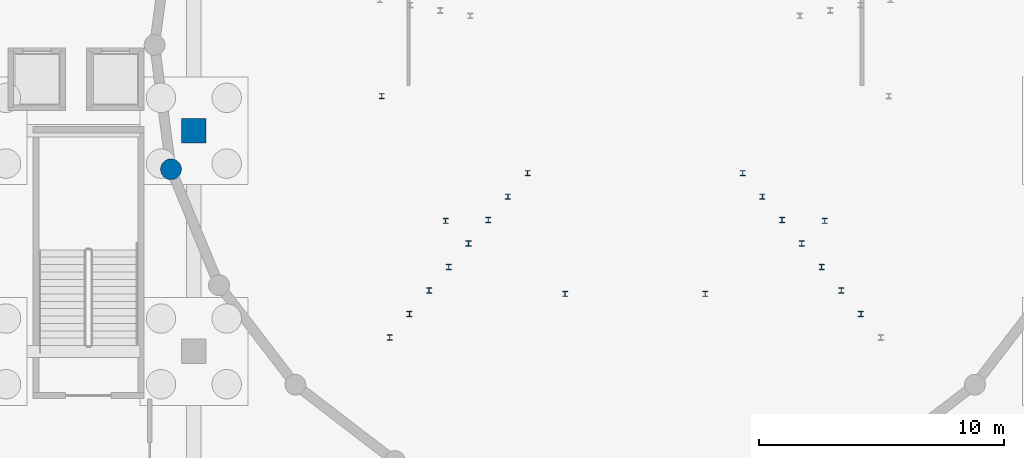
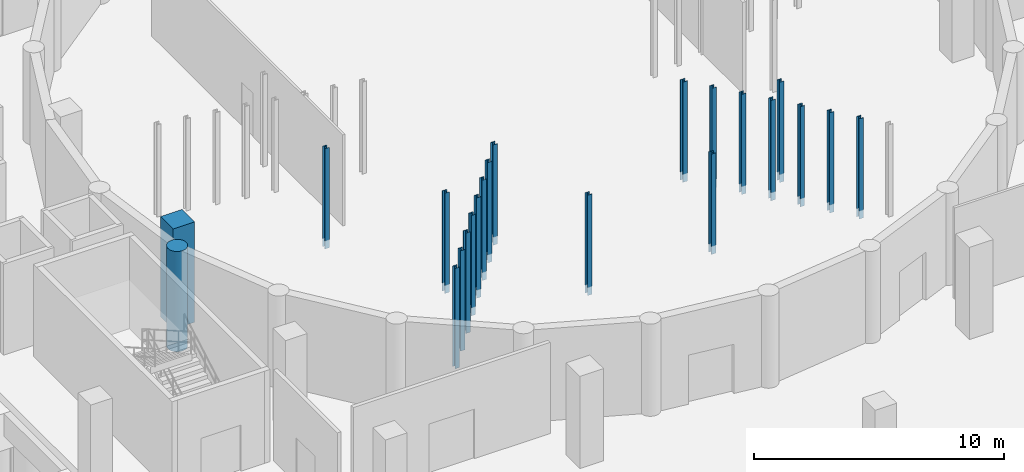
# One storey, part 18 of 40: 22 columns.
"""IFC4 building model written with IfcOpenShell, lengths in metres."""

from ifc_helpers import new_model, si_unit, direction, frame, origin, origin_2d, place, context, subcontext, project, spatial, rectangle, circle, i_section, extrude, material, material_profile, profile_set, type_object, element, save


model = new_model("IFC4")

# Units and contexts
model_context = context("Model", 3, precision=1e-05, world=origin(), true_north=direction((0.0, 1.0)))
body_context = subcontext(model_context, "Body", "Model", "MODEL_VIEW")
ifc_project = project(units=[si_unit("LENGTHUNIT", "METRE"), si_unit("AREAUNIT", "SQUARE_METRE"), si_unit("VOLUMEUNIT", "CUBIC_METRE"), si_unit("PLANEANGLEUNIT", "RADIAN"), si_unit("MASSUNIT", "GRAM", prefix="KILO")], contexts=[model_context])

# Site, building, storey
site_placement = place(None, origin())
site = spatial("IfcSite", under=ifc_project, at=site_placement, CompositionType="ELEMENT")
building_placement = place(site_placement, origin())
building = spatial("IfcBuilding", under=site, at=building_placement, Name="Marnock Terrace Opera House", CompositionType="ELEMENT")
storey_placement = place(building_placement, frame((0.0, 0.0, -4.800048828125)))
storey = spatial("IfcBuildingStorey", under=building, at=storey_placement, Name="B1", CompositionType="ELEMENT", Elevation=-4.800048828125)

# Columns
ifc_material_1 = material(Name="Concrete N50 (f'c = 50 MPa)", Category="concrete")
ifc_material_profile_1 = material_profile(ifc_material_1, circle(Radius=0.425048828125, at=origin_2d()))
ifc_profile_set_1 = profile_set([ifc_material_profile_1], Name="Concrete N50 (f'c = 50 MPa)")
column_type_1 = type_object("IfcColumnType", Name="COL-DRUM-850", PredefinedType="COLUMN", material=ifc_profile_set_1)
column_1_placement = place(storey_placement, frame((63.068115234375, 55.427001953125, -0.39990234375), z_axis=(0.0, 0.0, 1.0), x_axis=(1.0, 0.0, 0.0)))
element("IfcColumn", 1, at=column_1_placement, inside=storey, type_object=column_type_1, Name="B1 auditorium drum pier 14", PredefinedType="COLUMN", context=body_context, shape_type="SweptSolid", body=[
    extrude(circle(Radius=0.425048828125, at=origin_2d()), origin(), (0.0, 0.0, 1.0), 4.89990234375),
])
ifc_material_profile_2 = material_profile(ifc_material_1, rectangle(XDim=1.0, YDim=1.0, at=origin_2d()))
ifc_profile_set_2 = profile_set([ifc_material_profile_2], Name="Concrete N50 (f'c = 50 MPa)")
column_type_2 = type_object("IfcColumnType", Name="COL-RC1000", PredefinedType="COLUMN", material=ifc_profile_set_2)
column_2_placement = place(storey_placement, frame((64.0, 57.0, -0.39990234375), z_axis=(0.0, 0.0, 1.0), x_axis=(1.0, 0.0, 0.0)))
element("IfcColumn", 2, at=column_2_placement, inside=storey, type_object=column_type_2, Name="B1 column at (64.0, 57.0)", PredefinedType="COLUMN", context=body_context, shape_type="SweptSolid", body=[
    extrude(rectangle(XDim=1.0, YDim=1.0, at=origin_2d()), origin(), (0.0, 0.0, 1.0), 4.89990234375),
])
ifc_material_2 = material(Name="Steel Grade 350 (AS/NZS 3679.1)", Category="steel")
ifc_material_profile_3 = material_profile(ifc_material_2, i_section(OverallWidth=0.205078125, OverallDepth=0.209716796875, WebThickness=0.00927734375, FlangeThickness=0.01416015625, FilletRadius=0.011474609375, at=origin_2d()))
ifc_profile_set_3 = profile_set([ifc_material_profile_3], Name="Steel Grade 350 (AS/NZS 3679.1)")
column_type_3 = type_object("IfcColumnType", Name="COL-UC200", PredefinedType="COLUMN", material=ifc_profile_set_3)
for number, where, z_axis, x_axis, name in (
    (3, (77.613037109375, 55.271728515625, -0.39990234375), (0.0, 0.0, 1.0), (1.0, 0.0, 0.0), "B1 Stalls tier 1 understage support stanchion 8"),
    (4, (86.386962890625, 55.271728515625, -0.39990234375), (0.0, 0.0, 1.0), (1.0, 0.0, 0.0), "B1 Stalls tier 1 understage support stanchion 16"),
    (5, (76.8095703125, 54.314208984375, -0.39990234375), (0.0, 0.0, 1.0), (1.0, 0.0, 0.0), "B1 Stalls tier 2 understage support stanchion 8"),
    (6, (87.1904296875, 54.314208984375, -0.39990234375), (0.0, 0.0, 1.0), (1.0, 0.0, 0.0), "B1 Stalls tier 2 understage support stanchion 16"),
    (7, (76.006103515625, 53.356689453125, -0.39990234375), (0.0, 0.0, 1.0), (1.0, 0.0, 0.0), "B1 Stalls tier 3 understage support stanchion 8"),
    (8, (87.993896484375, 53.356689453125, -0.39990234375), (0.0, 0.0, 1.0), (1.0, 0.0, 0.0), "B1 Stalls tier 3 understage support stanchion 16"),
    (9, (75.202392578125, 52.399169921875, -0.39990234375), (0.0, 0.0, 1.0), (1.0, 0.0, 0.0), "B1 Stalls tier 4 understage support stanchion 8"),
    (10, (88.797607421875, 52.399169921875, -0.39990234375), (0.0, 0.0, 1.0), (1.0, 0.0, 0.0), "B1 Stalls tier 4 understage support stanchion 16"),
    (11, (74.39892578125, 51.44140625, -0.39990234375), (0.0, 0.0, 1.0), (1.0, 0.0, 0.0), "B1 Stalls tier 5 understage support stanchion 8"),
    (12, (89.60107421875, 51.44140625, -0.39990234375), (0.0, 0.0, 1.0), (1.0, 0.0, 0.0), "B1 Stalls tier 5 understage support stanchion 16"),
    (13, (73.595703125, 50.48388671875, -0.39990234375), (0.0, 0.0, 1.0), (1.0, 0.0, 0.0), "B1 Stalls tier 6 understage support stanchion 8"),
    (14, (90.404296875, 50.48388671875, -0.39990234375), (0.0, 0.0, 1.0), (1.0, 0.0, 0.0), "B1 Stalls tier 6 understage support stanchion 16"),
    (15, (72.7919921875, 49.5263671875, -0.39990234375), (0.0, 0.0, 1.0), (1.0, 0.0, 0.0), "B1 Stalls tier 7 understage support stanchion 8"),
    (16, (91.2080078125, 49.5263671875, -0.39990234375), (0.0, 0.0, 1.0), (1.0, 0.0, 0.0), "B1 Stalls tier 7 understage support stanchion 16"),
    (17, (71.988525390625, 48.56884765625, -0.39990234375), (0.0, 0.0, 1.0), (1.0, 0.0, 0.0), "B1 Stalls tier 8 understage support stanchion 8"),
    (18, (71.6591796875, 58.40966796875, -0.39990234375), (0.0, 0.0, 1.0), (1.0, 0.0, 0.0), "B1 Auditorium balcony-front column 2"),
    (19, (74.266357421875, 53.32421875, -0.39990234375), (0.0, 0.0, 1.0), (1.0, 0.0, 0.0), "B1 Auditorium balcony-front column 3"),
    (20, (79.142578125, 50.34423828125, -0.39990234375), (0.0, 0.0, 1.0), (1.0, 0.0, 0.0), "B1 Auditorium balcony-front column 4"),
    (21, (84.857421875, 50.34423828125, -0.39990234375), (0.0, 0.0, 1.0), (1.0, 0.0, 0.0), "B1 Auditorium balcony-front column 5"),
    (22, (89.733642578125, 53.32421875, -0.39990234375), (0.0, 0.0, 1.0), (1.0, 0.0, 0.0), "B1 Auditorium balcony-front column 6"),
):
    element("IfcColumn", number, at=place(storey_placement, frame(where, z_axis=z_axis, x_axis=x_axis)), inside=storey, type_object=column_type_3, Name=name, PredefinedType="COLUMN", context=body_context, shape_type="SweptSolid", body=[
        extrude(i_section(OverallWidth=0.205078125, OverallDepth=0.209716796875, WebThickness=0.00927734375, FlangeThickness=0.01416015625, FilletRadius=0.011474609375, at=origin_2d()), origin(), (0.0, 0.0, 1.0), 4.89990234375),
    ])

save(model, "model.ifc")
